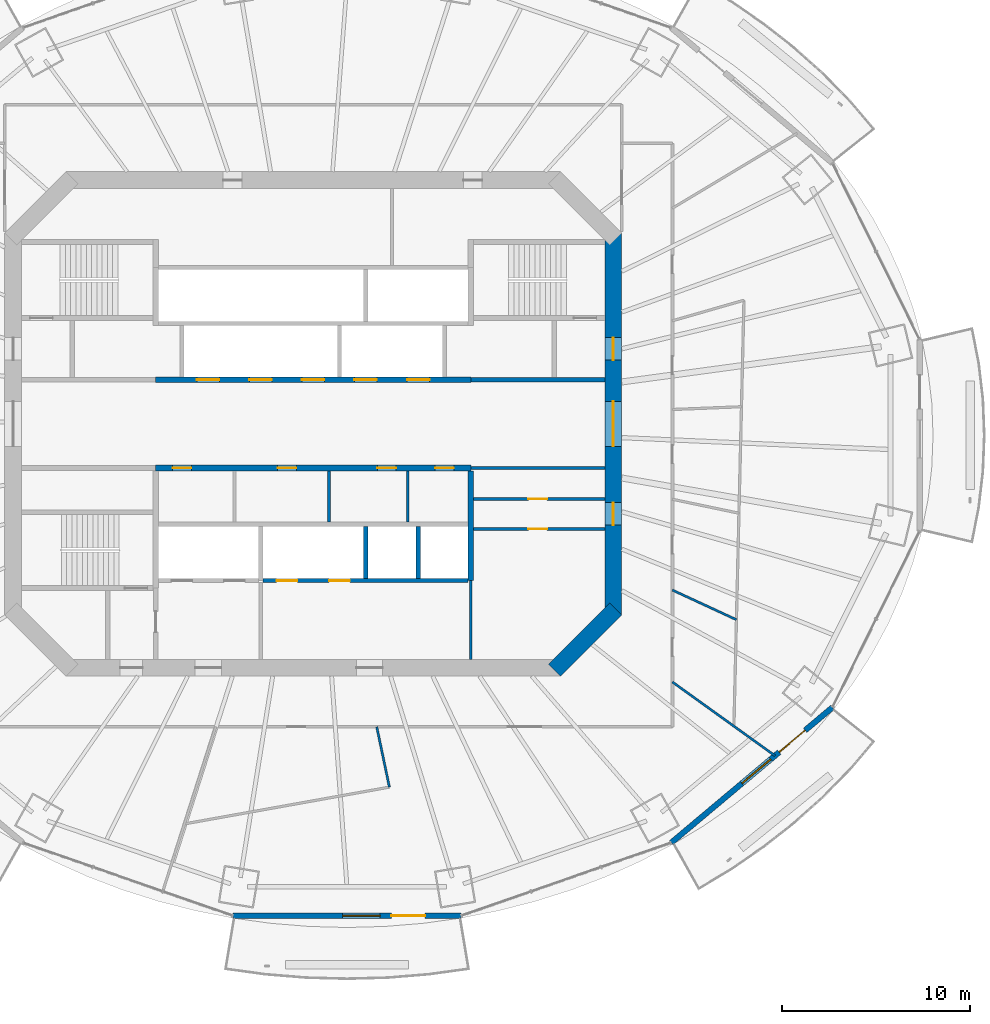
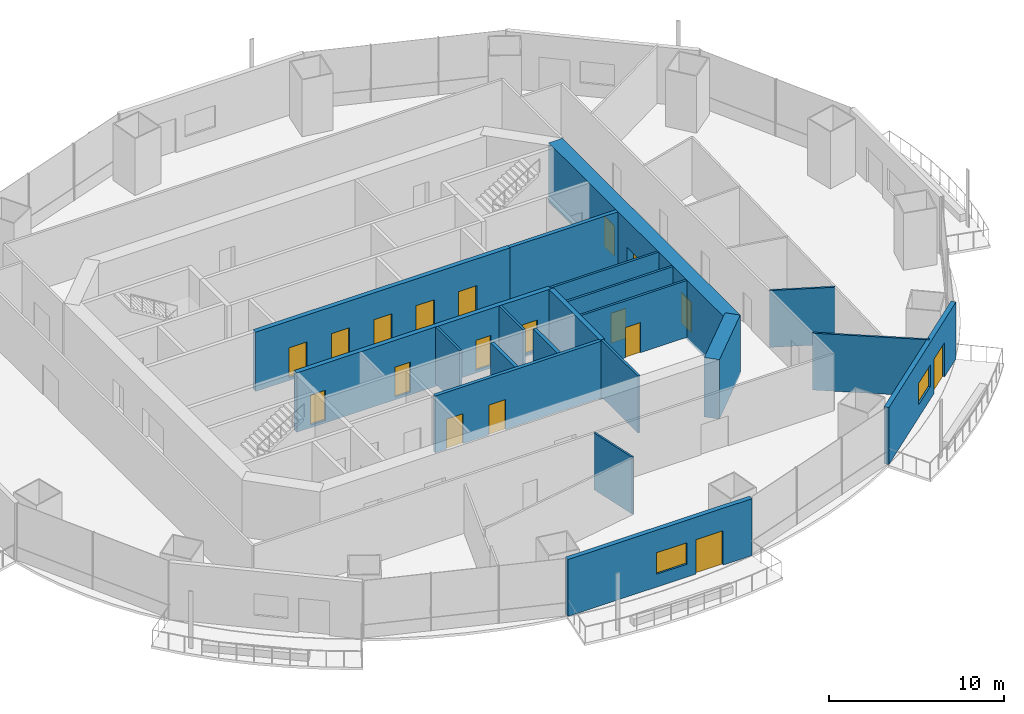
# One storey, part 12 of 20: 20 walls, 18 doors, 2 windows, 20 openings.
"""IFC4 building model written with IfcOpenShell, lengths in metres."""

import ifcopenshell
import ifcopenshell.guid

model = None  # the IFC model being written
_history = None  # IfcOwnerHistory: only IFC2X3 demands one
_inside = {}  # id of a spatial element -> (the spatial element, [elements in it])
_under = {}  # id of a project, library or spatial element -> (it, [spatial elements below it])
_declared = {}  # id of a project -> (the project, [libraries it declares])
_typed = {}  # id of a type object -> (the type object, [elements of that type])
_made_of = {}  # id of a material, layer set ... -> (it, [elements and type objects made of it])


def new_model(schema):
    """Start an empty IFC model of exactly this schema.

    Asked for "IFC4X3", IfcOpenShell would pick the latest addendum, in which some entities
    have other attributes; the version numbers below select the first issue.
    IFC2X3 requires an IfcOwnerHistory on every rooted entity: one is made here for all.
    """
    global model, _history
    if schema == "IFC4X3":
        model = ifcopenshell.file(schema_version=(4, 3, 0, 0))
    else:
        model = ifcopenshell.file(schema=schema)
    _inside.clear()
    _under.clear()
    _declared.clear()
    _typed.clear()
    _made_of.clear()
    _history = None
    if model.schema == "IFC2X3":
        org = make("IfcOrganization", Name="unknown")
        user = make(
            "IfcPersonAndOrganization",
            ThePerson=make("IfcPerson", FamilyName="unknown"),
            TheOrganization=org,
        )
        app = make(
            "IfcApplication",
            ApplicationDeveloper=org,
            Version="unknown",
            ApplicationFullName="unknown",
            ApplicationIdentifier="unknown",
        )
        _history = make(
            "IfcOwnerHistory",
            OwningUser=user,
            OwningApplication=app,
            ChangeAction="ADDED",
            CreationDate=0,
        )
    return model


def make(cls, **values):
    """One entity of the class cls with the attributes given. An attribute that is None is left unset."""
    return model.create_entity(
        cls, **{name: value for name, value in values.items() if value is not None}
    )


def rooted(cls, **values):
    """An entity with a GlobalId (a new one), such as an element, a storey or a relation."""
    return make(cls, GlobalId=ifcopenshell.guid.new(), OwnerHistory=_history, **values)


def si_unit(unit_type, name, prefix=None):
    """IfcSIUnit, for example si_unit("LENGTHUNIT", "METRE", prefix="MILLI")."""
    return make("IfcSIUnit", UnitType=unit_type, Prefix=prefix, Name=name)


def assignment(units):
    """IfcUnitAssignment: the units of a project."""
    return None if units is None else make("IfcUnitAssignment", Units=units)


def point(xyz):
    """IfcCartesianPoint."""
    return None if xyz is None else make("IfcCartesianPoint", Coordinates=xyz)


def direction(xyz):
    """IfcDirection."""
    return None if xyz is None else make("IfcDirection", DirectionRatios=xyz)


def frame(location, z_axis=None, x_axis=None):
    """IfcAxis2Placement3D, a coordinate frame: its origin and axes. An axis left out is left unset."""
    return make(
        "IfcAxis2Placement3D",
        Location=point(location),
        Axis=direction(z_axis),
        RefDirection=direction(x_axis),
    )


def frame_2d(location, x_axis=None):
    """IfcAxis2Placement2D, a coordinate frame in the plane: its origin and x axis."""
    return make(
        "IfcAxis2Placement2D", Location=point(location), RefDirection=direction(x_axis)
    )


def origin():
    """The frame at (0, 0, 0) with its axes left unset."""
    return frame((0.0, 0.0, 0.0))


def place(relative_to, where):
    """IfcLocalPlacement: puts the frame where relative to a parent placement (None: the world)."""
    return make(
        "IfcLocalPlacement", PlacementRelTo=relative_to, RelativePlacement=where
    )


def context(
    kind, dimensions, precision=None, world=None, true_north=None, identifier=None
):
    """IfcGeometricRepresentationContext, for example the 3D "Model" context."""
    return make(
        "IfcGeometricRepresentationContext",
        ContextIdentifier=identifier,
        ContextType=kind,
        CoordinateSpaceDimension=dimensions,
        Precision=precision,
        WorldCoordinateSystem=world,
        TrueNorth=true_north,
    )


def subcontext(parent, identifier, kind, view, scale=None):
    """IfcGeometricRepresentationSubContext, for example "Body" below "Model"."""
    return make(
        "IfcGeometricRepresentationSubContext",
        ContextIdentifier=identifier,
        ContextType=kind,
        ParentContext=parent,
        TargetScale=scale,
        TargetView=view,
    )


def project(units=None, contexts=None):
    """IfcProject with its units and contexts."""
    return rooted(
        "IfcProject",
        Name="project",
        RepresentationContexts=contexts,
        UnitsInContext=assignment(units),
    )


def spatial(cls, under=None, at=None, **own):
    """A site, building, storey or space (cls), placed at a placement, below another one or the project."""
    s = rooted(cls, ObjectPlacement=at, **own)
    if under is not None:
        _under.setdefault(under.id(), (under, []))[1].append(s)
    return s


def profile(cls, at=None, kind="AREA", **sizes):
    """A parametric profile (cls). Its sizes go by their IFC names, for example OverallWidth=200.0."""
    return make(cls, ProfileType=kind, Position=at, **sizes)


def rectangle(**sizes):
    """IfcRectangleProfileDef."""
    return profile("IfcRectangleProfileDef", **sizes)


def extrude(swept, where, along, depth):
    """IfcExtrudedAreaSolid: the profile swept, set in the frame where, extruded along a direction by depth."""
    return make(
        "IfcExtrudedAreaSolid",
        SweptArea=swept,
        Position=where,
        ExtrudedDirection=direction(along),
        Depth=depth,
    )


def shape(context_of_items, identifier, shape_type, items):
    """IfcShapeRepresentation: the items that make up one representation, for example the "Body"."""
    return make(
        "IfcShapeRepresentation",
        ContextOfItems=context_of_items,
        RepresentationIdentifier=identifier,
        RepresentationType=shape_type,
        Items=items,
    )


def material(Name=None, Category=None):
    """IfcMaterial."""
    return make("IfcMaterial", Name=Name, Category=Category)


def layer(
    of_material, thickness, ventilated=None, Name=None, Category=None, Priority=None
):
    """IfcMaterialLayer: one layer of a wall or slab, of a material (None: an air gap)."""
    return make(
        "IfcMaterialLayer",
        Material=of_material,
        LayerThickness=thickness,
        IsVentilated=ventilated,
        Name=Name,
        Category=Category,
        Priority=Priority,
    )


def layer_set(layers, Name=None):
    """IfcMaterialLayerSet."""
    return make("IfcMaterialLayerSet", MaterialLayers=layers, LayerSetName=Name)


def made_of(thing, what):
    """Note that an element or type object is made of a material, layer set ...; save() writes the relation."""
    if what is not None:
        _made_of.setdefault(what.id(), (what, []))[1].append(thing)
    return thing


def type_object(cls, material=None, **own):
    """A type object (cls), such as IfcWallType, which elements share."""
    return made_of(rooted(cls, **own), material)


def element(
    cls,
    number,
    at=None,
    inside=None,
    cuts=None,
    type_object=None,
    material=None,
    context=None,
    identifier="Body",
    shape_type=None,
    held_by="IfcProductDefinitionShape",
    body=None,
    shapes=None,
    **own,
):
    """One element of the class cls, such as IfcWall. Its Tag is "e" and its number.

    at: its placement. inside: the storey or other place that contains it. cuts: it is an
    opening in that element (IfcRelVoidsElement). A single representation is given by context,
    identifier, shape_type and body (its items); several are given by shapes. held_by: the class
    of the entity that holds the representations. save() writes the other relations.
    """
    e = rooted(cls, Tag="e%d" % number, ObjectPlacement=at, **own)
    if body is not None:
        shapes = [shape(context, identifier, shape_type, body)]
    if shapes is not None:
        e.Representation = make(held_by, Representations=shapes)
    if inside is not None:
        _inside.setdefault(inside.id(), (inside, []))[1].append(e)
    if cuts is not None:
        rooted(
            "IfcRelVoidsElement", RelatingBuildingElement=cuts, RelatedOpeningElement=e
        )
    if type_object is not None:
        _typed.setdefault(type_object.id(), (type_object, []))[1].append(e)
    return made_of(e, material)


def fill(opening, filler):
    """IfcRelFillsElement: the door or window that sits in an opening."""
    return rooted(
        "IfcRelFillsElement",
        RelatingOpeningElement=opening,
        RelatedBuildingElement=filler,
    )


def aggregate(whole, parts):
    """IfcRelAggregates: a whole, such as a stair, and the parts it consists of."""
    return rooted("IfcRelAggregates", RelatingObject=whole, RelatedObjects=parts)


def save(model, path):
    """Write the relations noted so far, then the file.

    IfcRelAggregates (storeys below a building ...), IfcRelContainedInSpatialStructure (elements
    in a storey), IfcRelDefinesByType, IfcRelAssociatesMaterial and IfcRelDeclares: one each for
    every whole, place, type object, material and project.
    """
    for whole, parts in _under.values():
        aggregate(whole, parts)
    for where, things in _inside.values():
        rooted(
            "IfcRelContainedInSpatialStructure",
            RelatedElements=things,
            RelatingStructure=where,
        )
    for kind, things in _typed.values():
        rooted("IfcRelDefinesByType", RelatedObjects=things, RelatingType=kind)
    for what, things in _made_of.values():
        rooted("IfcRelAssociatesMaterial", RelatedObjects=things, RelatingMaterial=what)
    for by, libraries in _declared.values():
        rooted("IfcRelDeclares", RelatingContext=by, RelatedDefinitions=libraries)
    model.write(path)


model = new_model("IFC4")

# Units and contexts
model_context = context("Model", 3, precision=1e-05, world=origin(), true_north=direction((0.0, 1.0)))
body_context = subcontext(model_context, "Body", "Model", "MODEL_VIEW")
ifc_project = project(units=[si_unit("LENGTHUNIT", "METRE"), si_unit("AREAUNIT", "SQUARE_METRE"), si_unit("VOLUMEUNIT", "CUBIC_METRE"), si_unit("PLANEANGLEUNIT", "RADIAN"), si_unit("MASSUNIT", "GRAM", prefix="KILO")], contexts=[model_context])

# Site, building, storey
site_placement = place(None, origin())
site = spatial("IfcSite", under=ifc_project, at=site_placement, CompositionType="ELEMENT")
building_placement = place(site_placement, origin())
building = spatial("IfcBuilding", under=site, at=building_placement, Name="Marenthal Gate Tower", CompositionType="ELEMENT")
storey_placement = place(building_placement, frame((0.0, 0.0, 219.14990234375)))
storey = spatial("IfcBuildingStorey", under=building, at=storey_placement, Name="L48", CompositionType="ELEMENT", Elevation=219.14990234375)

# Wall
ifc_material_1 = material(Name="Concrete 60 MPa", Category="concrete")
ifc_layer_1 = layer(ifc_material_1, 0.89990234375)
ifc_layer_set_1 = layer_set([ifc_layer_1], Name="Core shear wall 900")
wall_type_1 = type_object("IfcWallType", Name="Core shear wall 900", PredefinedType="SHEAR", material=ifc_layer_set_1)
wall_1_placement = place(storey_placement, frame((12.8681640625, -13.1318359375, -0.179931640625), z_axis=(0.0, 0.0, 1.0), x_axis=(0.707106781187, 0.707106781187, 0.0)))
element("IfcWall", 1, at=wall_1_placement, inside=storey, type_object=wall_type_1, Name="Core wall 01", PredefinedType="SHEAR", context=body_context, shape_type="SweptSolid", body=[
    extrude(rectangle(XDim=4.615478515625, YDim=0.89990234375, at=frame_2d((2.3076171875, 0.0))), origin(), (0.0, 0.0, 1.0), 4.150146484375),
])

# Wall, openings, doors
wall_2_placement = place(storey_placement, frame((16.0, -10.186279296875, -0.179931640625), z_axis=(0.0, 0.0, 1.0), x_axis=(0.0, 1.0, 0.0)))
wall_2 = element("IfcWall", 2, at=wall_2_placement, inside=storey, type_object=wall_type_1, Name="Core wall 02", PredefinedType="SHEAR", context=body_context, shape_type="SweptSolid", body=[
    extrude(rectangle(XDim=20.37255859375, YDim=0.89990234375, at=frame_2d((10.186279296875, 0.0))), origin(), (0.0, 0.0, 1.0), 4.150146484375),
])
opening_1_placement = place(wall_2_placement, frame((8.986328125, 0.0, 0.179931640625)))
opening_1 = element("IfcOpeningElement", 3, at=opening_1_placement, cuts=wall_2, Name="Opening D003.02", PredefinedType="OPENING", context=body_context, shape_type="SweptSolid", body=[
    extrude(rectangle(XDim=2.39990234375, YDim=2.10009765625, at=frame_2d((1.199951171875, 1.050048828125))), frame((0.0, 0.4599609375, 0.0), z_axis=(0.0, -1.0, 0.0), x_axis=(1.0, 0.0, 0.0)), (0.0, 0.0, 1.0), 0.919921875),
])
opening_2_placement = place(wall_2_placement, frame((13.58642578125, 0.0, 0.179931640625)))
opening_2 = element("IfcOpeningElement", 4, at=opening_2_placement, cuts=wall_2, Name="Opening D001.05", PredefinedType="OPENING", context=body_context, shape_type="SweptSolid", body=[
    extrude(rectangle(XDim=1.199951171875, YDim=2.10009765625, at=frame_2d((0.60009765625, 1.050048828125))), frame((0.0, 0.4599609375, 0.0), z_axis=(0.0, -1.0, 0.0), x_axis=(1.0, 0.0, 0.0)), (0.0, 0.0, 1.0), 0.919921875),
])
opening_3_placement = place(wall_2_placement, frame((4.786376953125, 0.0, 0.179931640625)))
opening_3 = element("IfcOpeningElement", 5, at=opening_3_placement, cuts=wall_2, Name="Opening D006.01", PredefinedType="OPENING", context=body_context, shape_type="SweptSolid", body=[
    extrude(rectangle(XDim=1.199951171875, YDim=2.10009765625, at=frame_2d((0.60009765625, 1.050048828125))), frame((0.0, 0.4599609375, 0.0), z_axis=(0.0, -1.0, 0.0), x_axis=(1.0, 0.0, 0.0)), (0.0, 0.0, 1.0), 0.919921875),
])
ifc_material_2 = material(Name="Steel fire door", Category="steel")
door_type_1 = type_object("IfcDoorType", Name="Double fire door FD 45 2400 x 2100", OperationType="DOUBLE_DOOR_SINGLE_SWING", PredefinedType="DOOR", material=ifc_material_2)
door_1_placement = place(opening_1_placement, origin())
door_1 = element("IfcDoor", 6, at=door_1_placement, inside=storey, type_object=door_type_1, Name="Door D003.02", OperationType="DOUBLE_DOOR_SINGLE_SWING", OverallHeight=2.10009765625, OverallWidth=2.39990234375, PredefinedType="DOOR", context=body_context, shape_type="SweptSolid", body=[
    extrude(rectangle(XDim=2.39990234375, YDim=2.10009765625, at=frame_2d((1.199951171875, 1.050048828125))), frame((0.0, 0.02490234375, 0.0), z_axis=(0.0, -1.0, 0.0), x_axis=(1.0, 0.0, 0.0)), (0.0, 0.0, 1.0), 0.050048828125),
])
fill(opening_1, door_1)
ifc_material_3 = material(Name="Steel fire door", Category="steel")
door_type_2 = type_object("IfcDoorType", Name="Fire door FD 45 1200 x 2100", OperationType="NOTDEFINED", PredefinedType="DOOR", material=ifc_material_3)
door_2_placement = place(opening_3_placement, origin())
door_2 = element("IfcDoor", 7, at=door_2_placement, inside=storey, type_object=door_type_2, Name="Door D006.01", OperationType="SINGLE_SWING_RIGHT", OverallHeight=2.10009765625, OverallWidth=1.199951171875, PredefinedType="DOOR", context=body_context, shape_type="SweptSolid", body=[
    extrude(rectangle(XDim=1.199951171875, YDim=2.10009765625, at=frame_2d((0.60009765625, 1.050048828125))), frame((0.0, 0.02490234375, 0.0), z_axis=(0.0, -1.0, 0.0), x_axis=(1.0, 0.0, 0.0)), (0.0, 0.0, 1.0), 0.050048828125),
])
fill(opening_3, door_2)
ifc_material_4 = material(Name="Steel fire door", Category="steel")
door_type_3 = type_object("IfcDoorType", Name="Fire door FD 90 1200 x 2100", OperationType="NOTDEFINED", PredefinedType="DOOR", material=ifc_material_4)
door_3_placement = place(opening_2_placement, origin())
door_3 = element("IfcDoor", 8, at=door_3_placement, inside=storey, type_object=door_type_3, Name="Door D001.05", OperationType="SINGLE_SWING_RIGHT", OverallHeight=2.10009765625, OverallWidth=1.199951171875, PredefinedType="DOOR", context=body_context, shape_type="SweptSolid", body=[
    extrude(rectangle(XDim=1.199951171875, YDim=2.10009765625, at=frame_2d((0.60009765625, 1.050048828125))), frame((0.0, 0.02490234375, 0.0), z_axis=(0.0, -1.0, 0.0), x_axis=(1.0, 0.0, 0.0)), (0.0, 0.0, 1.0), 0.050048828125),
])
fill(opening_2, door_3)

ifc_material_5 = material(Name="Concrete 50 MPa", Category="concrete")
ifc_layer_2 = layer(ifc_material_5, 0.300048828125)
ifc_layer_set_2 = layer_set([ifc_layer_2], Name="Hoistway shear wall 300")
wall_type_2 = type_object("IfcWallType", Name="Hoistway shear wall 300", PredefinedType="SHEAR", material=ifc_layer_set_2)
wall_3_placement = place(storey_placement, frame((-8.39990234375, -2.35009765625, -0.179931640625), z_axis=(0.0, 0.0, 1.0), x_axis=(1.0, 0.0, 0.0)))
wall_3 = element("IfcWall", 9, at=wall_3_placement, inside=storey, type_object=wall_type_2, Name="Hoistway wall 17", PredefinedType="SHEAR", context=body_context, shape_type="SweptSolid", body=[
    extrude(rectangle(XDim=16.7998046875, YDim=0.300048828125, at=frame_2d((8.39990234375, 0.0))), origin(), (0.0, 0.0, 1.0), 4.150146484375),
])
opening_4_placement = place(wall_3_placement, frame((0.89990234375, 0.0, 0.179931640625)))
opening_4 = element("IfcOpeningElement", 10, at=opening_4_placement, cuts=wall_3, Name="Opening D005.01", PredefinedType="OPENING", context=body_context, shape_type="SweptSolid", body=[
    extrude(rectangle(XDim=1.0, YDim=2.10009765625, at=frame_2d((0.5, 1.050048828125))), frame((0.0, 0.16015625, 0.0), z_axis=(0.0, -1.0, 0.0), x_axis=(1.0, 0.0, 0.0)), (0.0, 0.0, 1.0), 0.320068359375),
])
opening_5_placement = place(wall_3_placement, frame((6.5, 0.0, 0.179931640625)))
opening_5 = element("IfcOpeningElement", 11, at=opening_5_placement, cuts=wall_3, Name="Opening D005.02", PredefinedType="OPENING", context=body_context, shape_type="SweptSolid", body=[
    extrude(rectangle(XDim=1.0, YDim=2.10009765625, at=frame_2d((0.5, 1.050048828125))), frame((0.0, 0.16015625, 0.0), z_axis=(0.0, -1.0, 0.0), x_axis=(1.0, 0.0, 0.0)), (0.0, 0.0, 1.0), 0.320068359375),
])
opening_6_placement = place(wall_3_placement, frame((11.820068359375, 0.0, 0.179931640625)))
opening_6 = element("IfcOpeningElement", 12, at=opening_6_placement, cuts=wall_3, Name="Opening D005.03", PredefinedType="OPENING", context=body_context, shape_type="SweptSolid", body=[
    extrude(rectangle(XDim=1.0, YDim=2.10009765625, at=frame_2d((0.5, 1.050048828125))), frame((0.0, 0.16015625, 0.0), z_axis=(0.0, -1.0, 0.0), x_axis=(1.0, 0.0, 0.0)), (0.0, 0.0, 1.0), 0.320068359375),
])
opening_7_placement = place(wall_3_placement, frame((14.89990234375, 0.0, 0.179931640625)))
opening_7 = element("IfcOpeningElement", 13, at=opening_7_placement, cuts=wall_3, Name="Opening D005.04", PredefinedType="OPENING", context=body_context, shape_type="SweptSolid", body=[
    extrude(rectangle(XDim=1.0, YDim=2.10009765625, at=frame_2d((0.5, 1.050048828125))), frame((0.0, 0.16015625, 0.0), z_axis=(0.0, -1.0, 0.0), x_axis=(1.0, 0.0, 0.0)), (0.0, 0.0, 1.0), 0.320068359375),
])
ifc_material_6 = material(Name="Steel fire door", Category="steel")
door_type_4 = type_object("IfcDoorType", Name="Fire door FD 45 1000 x 2100", OperationType="NOTDEFINED", PredefinedType="DOOR", material=ifc_material_6)
door_4_placement = place(opening_4_placement, frame((1.0, 0.0, 0.0), z_axis=(0.0, 0.0, 1.0), x_axis=(-1.0, 0.0, 0.0)))
door_4 = element("IfcDoor", 14, at=door_4_placement, inside=storey, type_object=door_type_4, Name="Door D005.01", OperationType="SINGLE_SWING_LEFT", OverallHeight=2.10009765625, OverallWidth=1.0, PredefinedType="DOOR", context=body_context, shape_type="SweptSolid", body=[
    extrude(rectangle(XDim=1.0, YDim=2.10009765625, at=frame_2d((0.5, 1.050048828125))), frame((0.0, 0.02490234375, 0.0), z_axis=(0.0, -1.0, 0.0), x_axis=(1.0, 0.0, 0.0)), (0.0, 0.0, 1.0), 0.050048828125),
])
fill(opening_4, door_4)
door_5_placement = place(opening_5_placement, frame((1.0, 0.0, 0.0), z_axis=(0.0, 0.0, 1.0), x_axis=(-1.0, 0.0, 0.0)))
door_5 = element("IfcDoor", 15, at=door_5_placement, inside=storey, type_object=door_type_4, Name="Door D005.02", OperationType="SINGLE_SWING_LEFT", OverallHeight=2.10009765625, OverallWidth=1.0, PredefinedType="DOOR", context=body_context, shape_type="SweptSolid", body=[
    extrude(rectangle(XDim=1.0, YDim=2.10009765625, at=frame_2d((0.5, 1.050048828125))), frame((0.0, 0.02490234375, 0.0), z_axis=(0.0, -1.0, 0.0), x_axis=(1.0, 0.0, 0.0)), (0.0, 0.0, 1.0), 0.050048828125),
])
fill(opening_5, door_5)
door_6_placement = place(opening_6_placement, frame((1.0, 0.0, 0.0), z_axis=(0.0, 0.0, 1.0), x_axis=(-1.0, 0.0, 0.0)))
door_6 = element("IfcDoor", 16, at=door_6_placement, inside=storey, type_object=door_type_4, Name="Door D005.03", OperationType="SINGLE_SWING_LEFT", OverallHeight=2.10009765625, OverallWidth=1.0, PredefinedType="DOOR", context=body_context, shape_type="SweptSolid", body=[
    extrude(rectangle(XDim=1.0, YDim=2.10009765625, at=frame_2d((0.5, 1.050048828125))), frame((0.0, 0.02490234375, 0.0), z_axis=(0.0, -1.0, 0.0), x_axis=(1.0, 0.0, 0.0)), (0.0, 0.0, 1.0), 0.050048828125),
])
fill(opening_6, door_6)
door_7_placement = place(opening_7_placement, frame((1.0, 0.0, 0.0), z_axis=(0.0, 0.0, 1.0), x_axis=(-1.0, 0.0, 0.0)))
door_7 = element("IfcDoor", 17, at=door_7_placement, inside=storey, type_object=door_type_4, Name="Door D005.04", OperationType="SINGLE_SWING_LEFT", OverallHeight=2.10009765625, OverallWidth=1.0, PredefinedType="DOOR", context=body_context, shape_type="SweptSolid", body=[
    extrude(rectangle(XDim=1.0, YDim=2.10009765625, at=frame_2d((0.5, 1.050048828125))), frame((0.0, 0.02490234375, 0.0), z_axis=(0.0, -1.0, 0.0), x_axis=(1.0, 0.0, 0.0)), (0.0, 0.0, 1.0), 0.050048828125),
])
fill(opening_7, door_7)

wall_4_placement = place(storey_placement, frame((-8.39990234375, 2.35009765625, -0.179931640625), z_axis=(0.0, 0.0, 1.0), x_axis=(1.0, 0.0, 0.0)))
wall_4 = element("IfcWall", 18, at=wall_4_placement, inside=storey, type_object=wall_type_2, Name="Hoistway wall 20", PredefinedType="SHEAR", context=body_context, shape_type="SweptSolid", body=[
    extrude(rectangle(XDim=16.7998046875, YDim=0.300048828125, at=frame_2d((8.39990234375, 0.0))), origin(), (0.0, 0.0, 1.0), 4.150146484375),
])
opening_8_placement = place(wall_4_placement, frame((2.199951171875, 0.0, 0.179931640625)))
opening_8 = element("IfcOpeningElement", 19, at=opening_8_placement, cuts=wall_4, Name="Opening LD-MP1", PredefinedType="OPENING", context=body_context, shape_type="SweptSolid", body=[
    extrude(rectangle(XDim=1.199951171875, YDim=2.10009765625, at=frame_2d((0.60009765625, 1.050048828125))), frame((0.0, 0.16015625, 0.0), z_axis=(0.0, -1.0, 0.0), x_axis=(1.0, 0.0, 0.0)), (0.0, 0.0, 1.0), 0.320068359375),
])
opening_9_placement = place(wall_4_placement, frame((5.0, 0.0, 0.179931640625)))
opening_9 = element("IfcOpeningElement", 20, at=opening_9_placement, cuts=wall_4, Name="Opening LD-MP2", PredefinedType="OPENING", context=body_context, shape_type="SweptSolid", body=[
    extrude(rectangle(XDim=1.199951171875, YDim=2.10009765625, at=frame_2d((0.60009765625, 1.050048828125))), frame((0.0, 0.16015625, 0.0), z_axis=(0.0, -1.0, 0.0), x_axis=(1.0, 0.0, 0.0)), (0.0, 0.0, 1.0), 0.320068359375),
])
opening_10_placement = place(wall_4_placement, frame((7.800048828125, 0.0, 0.179931640625)))
opening_10 = element("IfcOpeningElement", 21, at=opening_10_placement, cuts=wall_4, Name="Opening LD-MP3", PredefinedType="OPENING", context=body_context, shape_type="SweptSolid", body=[
    extrude(rectangle(XDim=1.199951171875, YDim=2.10009765625, at=frame_2d((0.60009765625, 1.050048828125))), frame((0.0, 0.16015625, 0.0), z_axis=(0.0, -1.0, 0.0), x_axis=(1.0, 0.0, 0.0)), (0.0, 0.0, 1.0), 0.320068359375),
])
opening_11_placement = place(wall_4_placement, frame((10.60009765625, 0.0, 0.179931640625)))
opening_11 = element("IfcOpeningElement", 22, at=opening_11_placement, cuts=wall_4, Name="Opening LD-MP4", PredefinedType="OPENING", context=body_context, shape_type="SweptSolid", body=[
    extrude(rectangle(XDim=1.199951171875, YDim=2.10009765625, at=frame_2d((0.60009765625, 1.050048828125))), frame((0.0, 0.16015625, 0.0), z_axis=(0.0, -1.0, 0.0), x_axis=(1.0, 0.0, 0.0)), (0.0, 0.0, 1.0), 0.320068359375),
])
opening_12_placement = place(wall_4_placement, frame((13.39990234375, 0.0, 0.179931640625)))
opening_12 = element("IfcOpeningElement", 23, at=opening_12_placement, cuts=wall_4, Name="Opening LD-MP5", PredefinedType="OPENING", context=body_context, shape_type="SweptSolid", body=[
    extrude(rectangle(XDim=1.199951171875, YDim=2.10009765625, at=frame_2d((0.60009765625, 1.050048828125))), frame((0.0, 0.16015625, 0.0), z_axis=(0.0, -1.0, 0.0), x_axis=(1.0, 0.0, 0.0)), (0.0, 0.0, 1.0), 0.320068359375),
])
ifc_material_7 = material(Name="Stainless steel sliding door", Category="steel")
door_type_5 = type_object("IfcDoorType", Name="Lift landing door FD 90 1200 x 2100", OperationType="DOUBLE_DOOR_SLIDING", PredefinedType="DOOR", material=ifc_material_7)
door_8_placement = place(opening_8_placement, origin())
door_8 = element("IfcDoor", 24, at=door_8_placement, inside=storey, type_object=door_type_5, Name="Lift landing door MP1", OperationType="DOUBLE_DOOR_SLIDING", OverallHeight=2.10009765625, OverallWidth=1.199951171875, PredefinedType="DOOR", context=body_context, shape_type="SweptSolid", body=[
    extrude(rectangle(XDim=1.199951171875, YDim=2.10009765625, at=frame_2d((0.60009765625, 1.050048828125))), frame((0.0, 0.02490234375, 0.0), z_axis=(0.0, -1.0, 0.0), x_axis=(1.0, 0.0, 0.0)), (0.0, 0.0, 1.0), 0.050048828125),
])
fill(opening_8, door_8)
door_9_placement = place(opening_9_placement, origin())
door_9 = element("IfcDoor", 25, at=door_9_placement, inside=storey, type_object=door_type_5, Name="Lift landing door MP2", OperationType="DOUBLE_DOOR_SLIDING", OverallHeight=2.10009765625, OverallWidth=1.199951171875, PredefinedType="DOOR", context=body_context, shape_type="SweptSolid", body=[
    extrude(rectangle(XDim=1.199951171875, YDim=2.10009765625, at=frame_2d((0.60009765625, 1.050048828125))), frame((0.0, 0.02490234375, 0.0), z_axis=(0.0, -1.0, 0.0), x_axis=(1.0, 0.0, 0.0)), (0.0, 0.0, 1.0), 0.050048828125),
])
fill(opening_9, door_9)
door_10_placement = place(opening_10_placement, origin())
door_10 = element("IfcDoor", 26, at=door_10_placement, inside=storey, type_object=door_type_5, Name="Lift landing door MP3", OperationType="DOUBLE_DOOR_SLIDING", OverallHeight=2.10009765625, OverallWidth=1.199951171875, PredefinedType="DOOR", context=body_context, shape_type="SweptSolid", body=[
    extrude(rectangle(XDim=1.199951171875, YDim=2.10009765625, at=frame_2d((0.60009765625, 1.050048828125))), frame((0.0, 0.02490234375, 0.0), z_axis=(0.0, -1.0, 0.0), x_axis=(1.0, 0.0, 0.0)), (0.0, 0.0, 1.0), 0.050048828125),
])
fill(opening_10, door_10)
door_11_placement = place(opening_11_placement, origin())
door_11 = element("IfcDoor", 27, at=door_11_placement, inside=storey, type_object=door_type_5, Name="Lift landing door MP4", OperationType="DOUBLE_DOOR_SLIDING", OverallHeight=2.10009765625, OverallWidth=1.199951171875, PredefinedType="DOOR", context=body_context, shape_type="SweptSolid", body=[
    extrude(rectangle(XDim=1.199951171875, YDim=2.10009765625, at=frame_2d((0.60009765625, 1.050048828125))), frame((0.0, 0.02490234375, 0.0), z_axis=(0.0, -1.0, 0.0), x_axis=(1.0, 0.0, 0.0)), (0.0, 0.0, 1.0), 0.050048828125),
])
fill(opening_11, door_11)
door_12_placement = place(opening_12_placement, origin())
door_12 = element("IfcDoor", 28, at=door_12_placement, inside=storey, type_object=door_type_5, Name="Lift landing door MP5", OperationType="DOUBLE_DOOR_SLIDING", OverallHeight=2.10009765625, OverallWidth=1.199951171875, PredefinedType="DOOR", context=body_context, shape_type="SweptSolid", body=[
    extrude(rectangle(XDim=1.199951171875, YDim=2.10009765625, at=frame_2d((0.60009765625, 1.050048828125))), frame((0.0, 0.02490234375, 0.0), z_axis=(0.0, -1.0, 0.0), x_axis=(1.0, 0.0, 0.0)), (0.0, 0.0, 1.0), 0.050048828125),
])
fill(opening_12, door_12)

# Wall
wall_5_placement = place(storey_placement, frame((8.39990234375, -8.35009765625, -0.179931640625), z_axis=(0.0, 0.0, 1.0), x_axis=(0.0, 1.0, 0.0)))
element("IfcWall", 29, at=wall_5_placement, inside=storey, type_object=wall_type_2, Name="Hoistway wall 47", PredefinedType="SHEAR", context=body_context, shape_type="SweptSolid", body=[
    extrude(rectangle(XDim=5.85009765625, YDim=0.300048828125, at=frame_2d((2.925048828125, 0.0))), origin(), (0.0, 0.0, 1.0), 4.150146484375),
])

# Wall, openings, doors
ifc_material_8 = material(Name="Concrete 40 MPa", Category="concrete")
ifc_layer_3 = layer(ifc_material_8, 0.219970703125)
ifc_layer_set_3 = layer_set([ifc_layer_3], Name="Hoistway wall 220")
wall_type_3 = type_object("IfcWallType", Name="Hoistway wall 220", PredefinedType="STANDARD", material=ifc_layer_set_3)
wall_6_placement = place(storey_placement, frame((-2.68994140625, -8.35009765625, 0.0), z_axis=(0.0, 0.0, 1.0), x_axis=(1.0, 0.0, 0.0)))
wall_6 = element("IfcWall", 30, at=wall_6_placement, inside=storey, type_object=wall_type_3, Name="Hoistway wall 11", PredefinedType="STANDARD", context=body_context, shape_type="SweptSolid", body=[
    extrude(rectangle(XDim=10.93994140625, YDim=0.219970703125, at=frame_2d((5.469970703125, 0.0))), origin(), (0.0, 0.0, 1.0), 3.97021484375),
])
opening_13_placement = place(wall_6_placement, frame((0.739990234375, 0.0, 0.0)))
opening_13 = element("IfcOpeningElement", 31, at=opening_13_placement, cuts=wall_6, Name="Opening LD-SV1", PredefinedType="OPENING", context=body_context, shape_type="SweptSolid", body=[
    extrude(rectangle(XDim=1.10009765625, YDim=2.10009765625, at=frame_2d((0.550048828125, 1.050048828125))), frame((0.0, 0.1201171875, 0.0), z_axis=(0.0, -1.0, 0.0), x_axis=(1.0, 0.0, 0.0)), (0.0, 0.0, 1.0), 0.239990234375),
])
opening_14_placement = place(wall_6_placement, frame((3.5400390625, 0.0, 0.0)))
opening_14 = element("IfcOpeningElement", 32, at=opening_14_placement, cuts=wall_6, Name="Opening LD-SV2", PredefinedType="OPENING", context=body_context, shape_type="SweptSolid", body=[
    extrude(rectangle(XDim=1.10009765625, YDim=2.10009765625, at=frame_2d((0.550048828125, 1.050048828125))), frame((0.0, 0.1201171875, 0.0), z_axis=(0.0, -1.0, 0.0), x_axis=(1.0, 0.0, 0.0)), (0.0, 0.0, 1.0), 0.239990234375),
])
ifc_material_9 = material(Name="Stainless steel sliding door", Category="steel")
door_type_6 = type_object("IfcDoorType", Name="Lift landing door FD 90 1100 x 2100", OperationType="DOUBLE_DOOR_SLIDING", PredefinedType="DOOR", material=ifc_material_9)
door_13_placement = place(opening_13_placement, origin())
door_13 = element("IfcDoor", 33, at=door_13_placement, inside=storey, type_object=door_type_6, Name="Lift landing door SV1", OperationType="DOUBLE_DOOR_SLIDING", OverallHeight=2.10009765625, OverallWidth=1.10009765625, PredefinedType="DOOR", context=body_context, shape_type="SweptSolid", body=[
    extrude(rectangle(XDim=1.10009765625, YDim=2.10009765625, at=frame_2d((0.550048828125, 1.050048828125))), frame((0.0, 0.02490234375, 0.0), z_axis=(0.0, -1.0, 0.0), x_axis=(1.0, 0.0, 0.0)), (0.0, 0.0, 1.0), 0.050048828125),
])
fill(opening_13, door_13)
door_14_placement = place(opening_14_placement, origin())
door_14 = element("IfcDoor", 34, at=door_14_placement, inside=storey, type_object=door_type_6, Name="Lift landing door SV2", OperationType="DOUBLE_DOOR_SLIDING", OverallHeight=2.10009765625, OverallWidth=1.10009765625, PredefinedType="DOOR", context=body_context, shape_type="SweptSolid", body=[
    extrude(rectangle(XDim=1.10009765625, YDim=2.10009765625, at=frame_2d((0.550048828125, 1.050048828125))), frame((0.0, 0.02490234375, 0.0), z_axis=(0.0, -1.0, 0.0), x_axis=(1.0, 0.0, 0.0)), (0.0, 0.0, 1.0), 0.050048828125),
])
fill(opening_14, door_14)

# Walls
for number, where, z_axis, x_axis, name in (
    (35, (2.800048828125, -8.239990234375, 0.0), (0.0, 0.0, 1.0), (0.0, 1.0, 0.0), "Hoistway wall 40"),
    (36, (5.60009765625, -8.239990234375, 0.0), (0.0, 0.0, 1.0), (0.0, 1.0, 0.0), "Hoistway wall 44"),
):
    element("IfcWall", number, at=place(storey_placement, frame(where, z_axis=z_axis, x_axis=x_axis)), inside=storey, type_object=wall_type_3, Name=name, PredefinedType="STANDARD", context=body_context, shape_type="SweptSolid", body=[
        extrude(rectangle(XDim=2.780029296875, YDim=0.219970703125, at=frame_2d((1.39013671875, 0.0))), origin(), (0.0, 0.0, 1.0), 3.97021484375),
    ])
ifc_material_10 = material(Name="Gypsum board on steel studs", Category="steel")
ifc_layer_4 = layer(ifc_material_10, 0.1201171875)
ifc_layer_set_4 = layer_set([ifc_layer_4], Name="Partition 120")
wall_type_4 = type_object("IfcWallType", Name="Partition 120", PredefinedType="PARTITIONING", material=ifc_layer_set_4)
wall_7_placement = place(storey_placement, frame((4.06103515625, -19.365478515625, 0.0), z_axis=(0.0, 0.0, 1.0), x_axis=(-0.205238953165, 0.97871189433, 0.0)))
element("IfcWall", 37, at=wall_7_placement, inside=storey, type_object=wall_type_4, Name="Partition wall 57", PredefinedType="PARTITIONING", context=body_context, shape_type="SweptSolid", body=[
    extrude(rectangle(XDim=3.285400390625, YDim=0.1201171875, at=frame_2d((1.642578125, 0.0))), origin(), (0.0, 0.0, 1.0), 3.97021484375),
])
wall_8_placement = place(storey_placement, frame((19.14990234375, -13.7587890625, 0.0), z_axis=(0.0, 0.0, 1.0), x_axis=(0.812128627043, -0.583478442736, 0.0)))
element("IfcWall", 38, at=wall_8_placement, inside=storey, type_object=wall_type_4, Name="Partition wall 61", PredefinedType="PARTITIONING", context=body_context, shape_type="SweptSolid", body=[
    extrude(rectangle(XDim=6.7353515625, YDim=0.1201171875, at=frame_2d((3.36767578125, 0.0))), origin(), (0.0, 0.0, 1.0), 3.97021484375),
])
wall_9_placement = place(storey_placement, frame((22.566162109375, -10.4384765625, 0.0), z_axis=(0.0, 0.0, 1.0), x_axis=(-0.907596457225, 0.419843626643, 0.0)))
element("IfcWall", 39, at=wall_9_placement, inside=storey, type_object=wall_type_4, Name="Partition wall 65", PredefinedType="PARTITIONING", context=body_context, shape_type="SweptSolid", body=[
    extrude(rectangle(XDim=3.76416015625, YDim=0.1201171875, at=frame_2d((1.882080078125, 0.0))), origin(), (0.0, 0.0, 1.0), 3.97021484375),
])

# Wall, opening, door
ifc_material_11 = material(Name="Gypsum board on steel studs", Category="steel")
ifc_layer_5 = layer(ifc_material_11, 0.14990234375)
ifc_layer_set_5 = layer_set([ifc_layer_5], Name="Partition 150")
wall_type_5 = type_object("IfcWallType", Name="Partition 150", PredefinedType="PARTITIONING", material=ifc_layer_set_5)
wall_10_placement = place(storey_placement, frame((8.550048828125, -5.60009765625, 0.0), z_axis=(0.0, 0.0, 1.0), x_axis=(1.0, 0.0, 0.0)))
wall_10 = element("IfcWall", 40, at=wall_10_placement, inside=storey, type_object=wall_type_5, Name="Partition wall 12", PredefinedType="PARTITIONING", context=body_context, shape_type="SweptSolid", body=[
    extrude(rectangle(XDim=7.0, YDim=0.14990234375, at=frame_2d((3.5, 0.0))), origin(), (0.0, 0.0, 1.0), 3.97021484375),
])
opening_15_placement = place(wall_10_placement, frame((2.925048828125, 0.0, 0.0)))
opening_15 = element("IfcOpeningElement", 41, at=opening_15_placement, cuts=wall_10, Name="Opening D005.08", PredefinedType="OPENING", context=body_context, shape_type="SweptSolid", body=[
    extrude(rectangle(XDim=1.0, YDim=2.10009765625, at=frame_2d((0.5, 1.050048828125))), frame((0.0, 0.0849609375, 0.0), z_axis=(0.0, -1.0, 0.0), x_axis=(1.0, 0.0, 0.0)), (0.0, 0.0, 1.0), 0.169921875),
])
door_15_placement = place(opening_15_placement, frame((1.0, 0.0, 0.0), z_axis=(0.0, 0.0, 1.0), x_axis=(-1.0, 0.0, 0.0)))
door_15 = element("IfcDoor", 42, at=door_15_placement, inside=storey, type_object=door_type_4, Name="Door D005.08", OperationType="SINGLE_SWING_LEFT", OverallHeight=2.10009765625, OverallWidth=1.0, PredefinedType="DOOR", context=body_context, shape_type="SweptSolid", body=[
    extrude(rectangle(XDim=1.0, YDim=2.10009765625, at=frame_2d((0.5, 1.050048828125))), frame((0.0, 0.02490234375, 0.0), z_axis=(0.0, -1.0, 0.0), x_axis=(1.0, 0.0, 0.0)), (0.0, 0.0, 1.0), 0.050048828125),
])
fill(opening_15, door_15)

wall_11_placement = place(storey_placement, frame((8.550048828125, -4.0, 0.0), z_axis=(0.0, 0.0, 1.0), x_axis=(1.0, 0.0, 0.0)))
wall_11 = element("IfcWall", 43, at=wall_11_placement, inside=storey, type_object=wall_type_5, Name="Partition wall 15", PredefinedType="PARTITIONING", context=body_context, shape_type="SweptSolid", body=[
    extrude(rectangle(XDim=7.0, YDim=0.14990234375, at=frame_2d((3.5, 0.0))), origin(), (0.0, 0.0, 1.0), 3.97021484375),
])
opening_16_placement = place(wall_11_placement, frame((2.925048828125, 0.0, 0.0)))
opening_16 = element("IfcOpeningElement", 44, at=opening_16_placement, cuts=wall_11, Name="Opening D005.07", PredefinedType="OPENING", context=body_context, shape_type="SweptSolid", body=[
    extrude(rectangle(XDim=1.0, YDim=2.10009765625, at=frame_2d((0.5, 1.050048828125))), frame((0.0, 0.0849609375, 0.0), z_axis=(0.0, -1.0, 0.0), x_axis=(1.0, 0.0, 0.0)), (0.0, 0.0, 1.0), 0.169921875),
])
door_16_placement = place(opening_16_placement, origin())
door_16 = element("IfcDoor", 45, at=door_16_placement, inside=storey, type_object=door_type_4, Name="Door D005.07", OperationType="SINGLE_SWING_RIGHT", OverallHeight=2.10009765625, OverallWidth=1.0, PredefinedType="DOOR", context=body_context, shape_type="SweptSolid", body=[
    extrude(rectangle(XDim=1.0, YDim=2.10009765625, at=frame_2d((0.5, 1.050048828125))), frame((0.0, 0.02490234375, 0.0), z_axis=(0.0, -1.0, 0.0), x_axis=(1.0, 0.0, 0.0)), (0.0, 0.0, 1.0), 0.050048828125),
])
fill(opening_16, door_16)

# Walls
wall_12_placement = place(storey_placement, frame((8.39990234375, -2.35009765625, 0.0), z_axis=(0.0, 0.0, 1.0), x_axis=(1.0, 0.0, 0.0)))
element("IfcWall", 46, at=wall_12_placement, inside=storey, type_object=wall_type_5, Name="Partition wall 18", PredefinedType="PARTITIONING", context=body_context, shape_type="SweptSolid", body=[
    extrude(rectangle(XDim=7.150146484375, YDim=0.14990234375, at=frame_2d((3.5751953125, 0.0))), origin(), (0.0, 0.0, 1.0), 3.97021484375),
])
for number, where, z_axis, x_axis, name in (
    (47, (0.840087890625, -5.239990234375, 0.0), (0.0, 0.0, 1.0), (0.0, 1.0, 0.0), "Partition wall 38"),
    (48, (5.0400390625, -5.239990234375, 0.0), (0.0, 0.0, 1.0), (0.0, 1.0, 0.0), "Partition wall 43"),
):
    element("IfcWall", number, at=place(storey_placement, frame(where, z_axis=z_axis, x_axis=x_axis)), inside=storey, type_object=wall_type_5, Name=name, PredefinedType="PARTITIONING", context=body_context, shape_type="SweptSolid", body=[
        extrude(rectangle(XDim=2.739990234375, YDim=0.14990234375, at=frame_2d((1.3701171875, 0.0))), origin(), (0.0, 0.0, 1.0), 3.97021484375),
    ])
wall_13_placement = place(storey_placement, frame((8.39990234375, -12.550048828125, 0.0), z_axis=(0.0, 0.0, 1.0), x_axis=(0.0, 1.0, 0.0)))
element("IfcWall", 49, at=wall_13_placement, inside=storey, type_object=wall_type_5, Name="Partition wall 46", PredefinedType="PARTITIONING", context=body_context, shape_type="SweptSolid", body=[
    extrude(rectangle(XDim=4.199951171875, YDim=0.14990234375, at=frame_2d((2.10009765625, 0.0))), origin(), (0.0, 0.0, 1.0), 3.97021484375),
])
ifc_material_12 = material(Name="Concrete 40 MPa", Category="concrete")
ifc_layer_6 = layer(ifc_material_12, 0.25)
ifc_layer_set_6 = layer_set([ifc_layer_6], Name="Stair enclosure wall 250")
wall_type_6 = type_object("IfcWallType", Name="Stair enclosure wall 250", PredefinedType="STANDARD", material=ifc_layer_set_6)
wall_14_placement = place(storey_placement, frame((8.39990234375, 2.35009765625, 0.0), z_axis=(0.0, 0.0, 1.0), x_axis=(1.0, 0.0, 0.0)))
element("IfcWall", 50, at=wall_14_placement, inside=storey, type_object=wall_type_6, Name="Stair wall 21", PredefinedType="STANDARD", context=body_context, shape_type="SweptSolid", body=[
    extrude(rectangle(XDim=7.150146484375, YDim=0.25, at=frame_2d((3.5751953125, 0.0))), origin(), (0.0, 0.0, 1.0), 3.97021484375),
])

# Wall, openings, door, window
ifc_material_13 = material(Name="Terracotta cladding on insulated concrete-block backing", Category="masonry")
ifc_layer_7 = layer(ifc_material_13, 0.300048828125)
ifc_layer_set_7 = layer_set([ifc_layer_7], Name="Terracotta facade wall 300")
wall_type_7 = type_object("IfcWallType", Name="Terracotta facade wall 300", PredefinedType="SOLIDWALL", material=ifc_layer_set_7)
wall_15_placement = place(storey_placement, frame((-4.273193359375, -26.227783203125, 0.0), z_axis=(0.0, 0.0, 1.0), x_axis=(1.0, 0.0, 0.0)))
wall_15 = element("IfcWall", 51, at=wall_15_placement, inside=storey, type_object=wall_type_7, Name="Terracotta facade wall L48 bay 12", PredefinedType="SOLIDWALL", context=body_context, shape_type="SweptSolid", body=[
    extrude(rectangle(XDim=12.146484375, YDim=0.300048828125, at=frame_2d((6.0732421875, 0.0))), origin(), (0.0, 0.0, 1.0), 3.97021484375),
])
opening_17_placement = place(wall_15_placement, frame((8.4462890625, 0.0, 0.0)))
opening_17 = element("IfcOpeningElement", 52, at=opening_17_placement, cuts=wall_15, Name="Opening BD-L48-12", PredefinedType="OPENING", context=body_context, shape_type="SweptSolid", body=[
    extrude(rectangle(XDim=1.800048828125, YDim=2.39990234375, at=frame_2d((0.89990234375, 1.199951171875))), frame((0.0, 0.16015625, 0.0), z_axis=(0.0, -1.0, 0.0), x_axis=(1.0, 0.0, 0.0)), (0.0, 0.0, 1.0), 0.320068359375),
])
opening_18_placement = place(wall_15_placement, frame((5.846435546875, 0.0, 0.89990234375)))
opening_18 = element("IfcOpeningElement", 53, at=opening_18_placement, cuts=wall_15, Name="Opening WN2-L48-12", PredefinedType="OPENING", context=body_context, shape_type="SweptSolid", body=[
    extrude(rectangle(XDim=2.0, YDim=1.5, at=frame_2d((1.0, 0.75))), frame((0.0, 0.16015625, 0.0), z_axis=(0.0, -1.0, 0.0), x_axis=(1.0, 0.0, 0.0)), (0.0, 0.0, 1.0), 0.320068359375),
])
ifc_material_14 = material(Name="Aluminium and glass", Category="aluminium")
door_type_7 = type_object("IfcDoorType", Name="Balcony door 1800x2400", OperationType="DOUBLE_DOOR_SINGLE_SWING", PredefinedType="DOOR", material=ifc_material_14)
door_17_placement = place(opening_17_placement, origin())
door_17 = element("IfcDoor", 54, at=door_17_placement, inside=storey, type_object=door_type_7, Name="Balcony door L48 bay 12", OperationType="SINGLE_SWING_LEFT", OverallHeight=2.39990234375, OverallWidth=1.800048828125, PredefinedType="DOOR", context=body_context, shape_type="SweptSolid", body=[
    extrude(rectangle(XDim=1.800048828125, YDim=2.39990234375, at=frame_2d((0.89990234375, 1.199951171875))), frame((0.0, 0.02490234375, 0.0), z_axis=(0.0, -1.0, 0.0), x_axis=(1.0, 0.0, 0.0)), (0.0, 0.0, 1.0), 0.050048828125),
])
fill(opening_17, door_17)
ifc_material_15 = material(Name="Aluminium and glass", Category="aluminium")
window_type = type_object("IfcWindowType", Name="Window 2000x1500", PartitioningType="DOUBLE_PANEL_VERTICAL", PredefinedType="WINDOW", material=ifc_material_15)
window_1_placement = place(opening_18_placement, origin())
window_1 = element("IfcWindow", 55, at=window_1_placement, inside=storey, type_object=window_type, Name="Window L48 bay 12", OverallHeight=1.5, OverallWidth=2.0, PartitioningType="SINGLE_PANEL", PredefinedType="WINDOW", context=body_context, shape_type="SweptSolid", body=[
    extrude(rectangle(XDim=2.0, YDim=1.5, at=frame_2d((1.0, 0.75))), frame((0.0, 0.030029296875, 0.0), z_axis=(0.0, -1.0, 0.0), x_axis=(1.0, 0.0, 0.0)), (0.0, 0.0, 1.0), 0.06005859375),
])
fill(opening_18, window_1)

wall_16_placement = place(storey_placement, frame((19.094970703125, -22.326416015625, 0.0), z_axis=(0.0, 0.0, 1.0), x_axis=(0.76593385613, 0.642919379109, 0.0)))
wall_16 = element("IfcWall", 56, at=wall_16_placement, inside=storey, type_object=wall_type_7, Name="Terracotta facade wall L48 bay 14", PredefinedType="SOLIDWALL", context=body_context, shape_type="SweptSolid", body=[
    extrude(rectangle(XDim=11.21337890625, YDim=0.300048828125, at=frame_2d((5.606689453125, 0.0))), origin(), (0.0, 0.0, 1.0), 3.97021484375),
])
opening_19_placement = place(wall_16_placement, frame((7.51318359375, 0.0, 0.0)))
opening_19 = element("IfcOpeningElement", 57, at=opening_19_placement, cuts=wall_16, Name="Opening BD-L48-14", PredefinedType="OPENING", context=body_context, shape_type="SweptSolid", body=[
    extrude(rectangle(XDim=1.800048828125, YDim=2.39990234375, at=frame_2d((0.89990234375, 1.199951171875))), frame((0.0, 0.16015625, 0.0), z_axis=(0.0, -1.0, 0.0), x_axis=(1.0, 0.0, 0.0)), (0.0, 0.0, 1.0), 0.320068359375),
])
opening_20_placement = place(wall_16_placement, frame((4.913330078125, 0.0, 0.89990234375)))
opening_20 = element("IfcOpeningElement", 58, at=opening_20_placement, cuts=wall_16, Name="Opening WN2-L48-14", PredefinedType="OPENING", context=body_context, shape_type="SweptSolid", body=[
    extrude(rectangle(XDim=2.0, YDim=1.5, at=frame_2d((1.0, 0.75))), frame((0.0, 0.16015625, 0.0), z_axis=(0.0, -1.0, 0.0), x_axis=(1.0, 0.0, 0.0)), (0.0, 0.0, 1.0), 0.320068359375),
])
door_18_placement = place(opening_19_placement, origin())
door_18 = element("IfcDoor", 59, at=door_18_placement, inside=storey, type_object=door_type_7, Name="Balcony door L48 bay 14", OperationType="SINGLE_SWING_LEFT", OverallHeight=2.39990234375, OverallWidth=1.800048828125, PredefinedType="DOOR", context=body_context, shape_type="SweptSolid", body=[
    extrude(rectangle(XDim=1.800048828125, YDim=2.39990234375, at=frame_2d((0.89990234375, 1.199951171875))), frame((0.0, 0.02490234375, 0.0), z_axis=(0.0, -1.0, 0.0), x_axis=(1.0, 0.0, 0.0)), (0.0, 0.0, 1.0), 0.050048828125),
])
fill(opening_19, door_18)
window_2_placement = place(opening_20_placement, origin())
window_2 = element("IfcWindow", 60, at=window_2_placement, inside=storey, type_object=window_type, Name="Window L48 bay 14", OverallHeight=1.5, OverallWidth=2.0, PartitioningType="SINGLE_PANEL", PredefinedType="WINDOW", context=body_context, shape_type="SweptSolid", body=[
    extrude(rectangle(XDim=2.0, YDim=1.5, at=frame_2d((1.0, 0.75))), frame((0.0, 0.030029296875, 0.0), z_axis=(0.0, -1.0, 0.0), x_axis=(1.0, 0.0, 0.0)), (0.0, 0.0, 1.0), 0.06005859375),
])
fill(opening_20, window_2)

save(model, "model.ifc")
